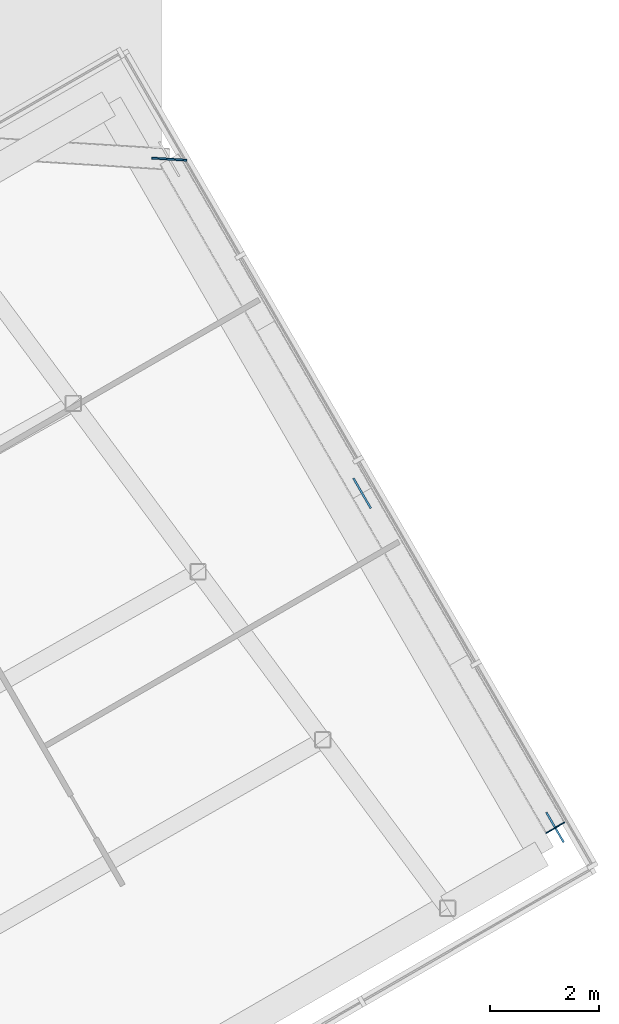
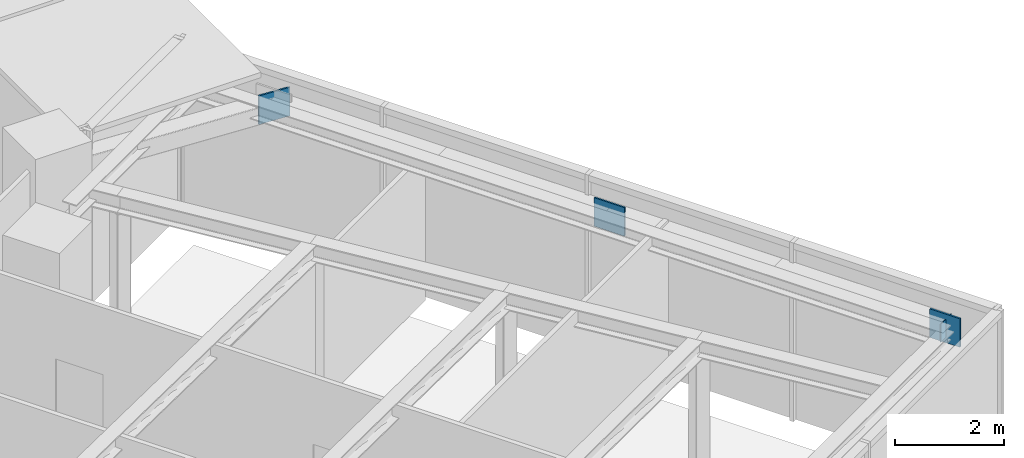
# One storey, part 24 of 28: 4 discrete accessories.
"""IFC4 building model written with IfcOpenShell, lengths in metres."""

from ifc_helpers import new_model, si_unit, direction, frame, origin, origin_2d, place, context, subcontext, project, spatial, rectangle, extrude, material, layer, layer_set, type_object, element, save


model = new_model("IFC4")

# Units and contexts
model_context = context("Model", 3, precision=1e-05, world=origin(), true_north=direction((0.0, 1.0)))
body_context = subcontext(model_context, "Body", "Model", "MODEL_VIEW")
ifc_project = project(units=[si_unit("LENGTHUNIT", "METRE"), si_unit("AREAUNIT", "SQUARE_METRE"), si_unit("VOLUMEUNIT", "CUBIC_METRE"), si_unit("PLANEANGLEUNIT", "RADIAN"), si_unit("MASSUNIT", "GRAM", prefix="KILO")], contexts=[model_context])

# Site, building, storey
site_placement = place(None, origin())
site = spatial("IfcSite", under=ifc_project, at=site_placement, CompositionType="ELEMENT")
building_placement = place(site_placement, origin())
building = spatial("IfcBuilding", under=site, at=building_placement, Name="Ayvan Gate Tower", CompositionType="ELEMENT")
storey_placement = place(building_placement, frame((0.0, 0.0, 74.300048828125)))
storey = spatial("IfcBuildingStorey", under=building, at=storey_placement, Name="L19", CompositionType="ELEMENT", Elevation=74.300048828125)

# Discrete accessories
ifc_material = material(Name="Steel S460ML", Category="steel")
ifc_layer_1 = layer(ifc_material, 0.034912109375)
ifc_layer_set_1 = layer_set([ifc_layer_1], Name="Steel S460ML")
discrete_accessory_type_1 = type_object("IfcDiscreteAccessoryType", Name="Gusset plate 35 mm", PredefinedType="BRACKET", material=ifc_layer_set_1)
for number, where, z_axis, x_axis, name in (
    (1, (25.306396484375, -9.7216796875, 3.02978515625), (0.0, 0.0, 1.0), (-0.998140122111, 0.060961435609, 0.0), "Gusset plate SBX1-A-D-1"),
    (2, (28.856201171875, -15.87060546875, 3.02978515625), (0.0, 0.0, 1.0), (-0.5, 0.866025403784, 0.0), "Gusset plate SBX1-A-D-3"),
    (3, (32.40625, -22.019287109375, 3.02978515625), (0.0, 0.0, 1.0), (-0.5, 0.866025403784, 0.0), "Gusset plate SBX1-A-D-5"),
):
    element("IfcDiscreteAccessory", number, at=place(storey_placement, frame(where, z_axis=z_axis, x_axis=x_axis)), inside=storey, type_object=discrete_accessory_type_1, Name=name, PredefinedType="BRACKET", context=body_context, shape_type="SweptSolid", body=[
        extrude(rectangle(XDim=0.639892578125, YDim=0.034912109375, at=origin_2d()), origin(), (0.0, 0.0, 1.0), 0.639892578125),
    ])
ifc_layer_2 = layer(ifc_material, 0.02001953125)
ifc_layer_set_2 = layer_set([ifc_layer_2], Name="Steel S460ML")
discrete_accessory_type_2 = type_object("IfcDiscreteAccessoryType", Name="Sky bar end cap plate", PredefinedType="BRACKET", material=ifc_layer_set_2)
discrete_accessory_placement = place(storey_placement, frame((32.411376953125, -22.028076171875, 3.14990234375), z_axis=(0.0, 0.0, 1.0), x_axis=(0.5, -0.866025403784, 0.0)))
element("IfcDiscreteAccessory", 4, at=discrete_accessory_placement, inside=storey, type_object=discrete_accessory_type_2, Name="End cap SBX1-A-TC-5:EC", PredefinedType="BRACKET", context=body_context, shape_type="SweptSolid", body=[
    extrude(rectangle(XDim=0.02001953125, YDim=0.39990234375, at=origin_2d()), origin(), (0.0, 0.0, 1.0), 0.39990234375),
])

save(model, "model.ifc")
